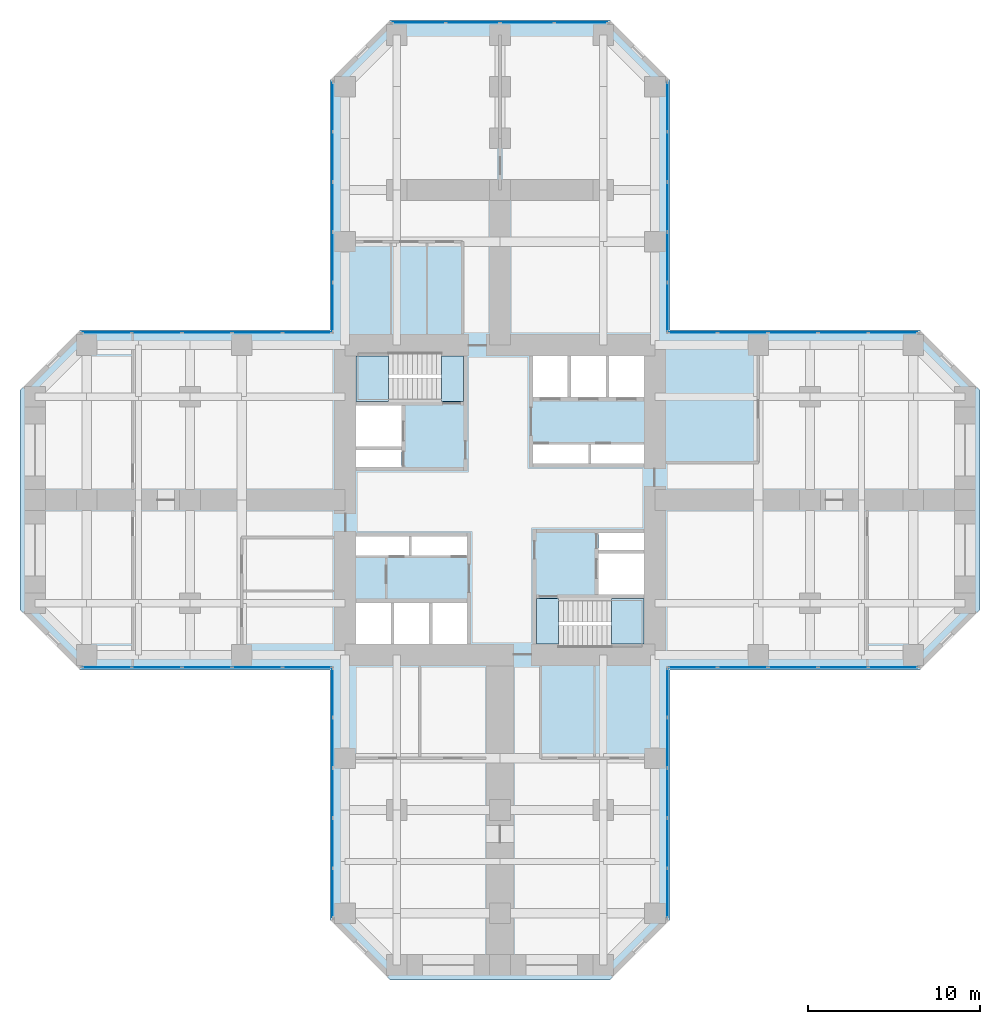
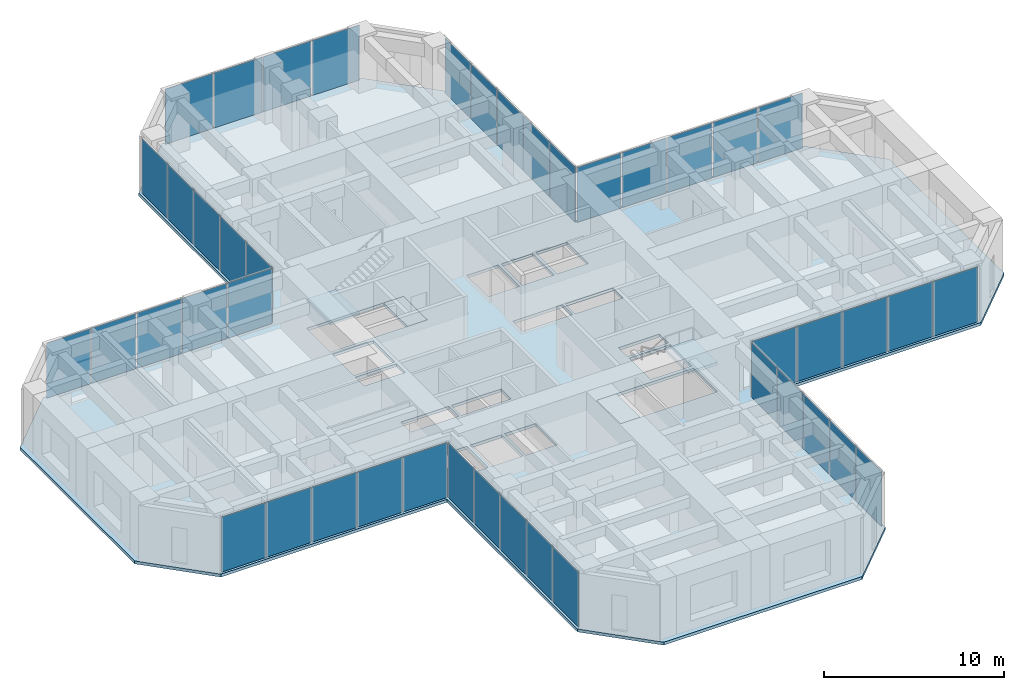
# One storey, part 7 of 12: 44 plates, 5 slabs, 11 elements without a shape of their own.
"""IFC4 building model written with IfcOpenShell, lengths in metres."""

from ifc_helpers import new_model, si_unit, direction, frame, origin, origin_2d, place, context, subcontext, project, spatial, polyline, rectangle, outline, extrude, material, layer, layer_set, type_object, element, aggregate, save


model = new_model("IFC4")

# Units and contexts
model_context = context("Model", 3, precision=1e-05, world=origin(), true_north=direction((0.0, 1.0)))
body_context = subcontext(model_context, "Body", "Model", "MODEL_VIEW")
ifc_project = project(units=[si_unit("LENGTHUNIT", "METRE"), si_unit("AREAUNIT", "SQUARE_METRE"), si_unit("VOLUMEUNIT", "CUBIC_METRE"), si_unit("PLANEANGLEUNIT", "RADIAN"), si_unit("MASSUNIT", "GRAM", prefix="KILO")], contexts=[model_context])

# Site, building, storey
site_placement = place(None, origin())
site = spatial("IfcSite", under=ifc_project, at=site_placement, CompositionType="ELEMENT")
building_placement = place(site_placement, origin())
building = spatial("IfcBuilding", under=site, at=building_placement, Name="Torre Cruceta", CompositionType="ELEMENT")
storey_placement = place(building_placement, frame((0.0, 0.0, 43.5)))
storey = spatial("IfcBuildingStorey", under=building, at=storey_placement, Name="L10", CompositionType="ELEMENT", Elevation=43.5)

# Curtain wall, plate
ifc_material_1 = material(Name="Aluminium unitised curtain wall", Category="aluminium")
curtain_wall_type = type_object("IfcCurtainWallType", Name="CURTAIN WALL CW-A OFFICE LOW RISE", PredefinedType="USERDEFINED", material=ifc_material_1)
curtain_wall_1_placement = place(storey_placement, origin())
curtain_wall_1 = element("IfcCurtainWall", 1, at=curtain_wall_1_placement, inside=storey, type_object=curtain_wall_type, Name="CW-A L10 E side 00", ObjectType="UNITISED", PredefinedType="USERDEFINED")
ifc_material_2 = material(Name="Laminated insulating glass unit, low-iron clear", Category="glass")
ifc_material_3 = material(Name="Laminated insulating glass unit, diagonal frit 50 %", Category="glass")
ifc_layer_1 = layer(ifc_material_3, 0.033935546875)
ifc_layer_set_1 = layer_set([ifc_layer_1], Name="Laminated insulating glass unit, diagonal frit 50 %")
plate_type_1 = type_object("IfcPlateType", Name="CW-A OPERABLE VENT PANEL 34", PredefinedType="CURTAIN_PANEL", material=ifc_layer_set_1)
plate_1_placement = place(storey_placement, frame((17.009033203125, -9.719970703125, 0.010009765625), z_axis=(0.0, 0.0, 1.0), x_axis=(1.0, 0.0, 0.0)))
plate_1 = element("IfcPlate", 2, at=plate_1_placement, type_object=plate_type_1, material=ifc_material_2, Name="CW-A vent 3", PredefinedType="CURTAIN_PANEL", context=body_context, shape_type="SweptSolid", body=[
    extrude(rectangle(XDim=2.8505859375, YDim=0.033935546875, at=origin_2d()), origin(), (0.0, 0.0, 1.0), 3.72509765625),
])

curtain_wall_2_placement = place(storey_placement, origin())
curtain_wall_2 = element("IfcCurtainWall", 3, at=curtain_wall_2_placement, inside=storey, type_object=curtain_wall_type, Name="CW-A L10 E side 04", ObjectType="UNITISED", PredefinedType="USERDEFINED")
plate_2_placement = place(storey_placement, frame((17.009033203125, 9.719970703125, 0.010009765625), z_axis=(0.0, 0.0, 1.0), x_axis=(-1.0, 0.0, 0.0)))
plate_2 = element("IfcPlate", 4, at=plate_2_placement, type_object=plate_type_1, material=ifc_material_2, Name="CW-A vent 3", PredefinedType="CURTAIN_PANEL", context=body_context, shape_type="SweptSolid", body=[
    extrude(rectangle(XDim=2.8505859375, YDim=0.033935546875, at=origin_2d()), origin(), (0.0, 0.0, 1.0), 3.72509765625),
])

curtain_wall_3_placement = place(storey_placement, origin())
curtain_wall_3 = element("IfcCurtainWall", 5, at=curtain_wall_3_placement, inside=storey, type_object=curtain_wall_type, Name="CW-A L10 N side 05", ObjectType="UNITISED", PredefinedType="USERDEFINED")
plate_3_placement = place(storey_placement, frame((9.719970703125, 17.009033203125, 0.010009765625), z_axis=(0.0, 0.0, 1.0), x_axis=(0.0, 1.0, 0.0)))
plate_3 = element("IfcPlate", 6, at=plate_3_placement, type_object=plate_type_1, material=ifc_material_2, Name="CW-A vent 3", PredefinedType="CURTAIN_PANEL", context=body_context, shape_type="SweptSolid", body=[
    extrude(rectangle(XDim=2.8505859375, YDim=0.033935546875, at=origin_2d()), origin(), (0.0, 0.0, 1.0), 3.72509765625),
])

curtain_wall_4_placement = place(storey_placement, origin())
curtain_wall_4 = element("IfcCurtainWall", 7, at=curtain_wall_4_placement, inside=storey, type_object=curtain_wall_type, Name="CW-A L10 N tip 07", ObjectType="UNITISED", PredefinedType="USERDEFINED")
plate_4_placement = place(storey_placement, frame((-1.574462890625, 27.719970703125, 0.010009765625), z_axis=(0.0, 0.0, 1.0), x_axis=(-1.0, 0.0, 0.0)))
plate_4 = element("IfcPlate", 8, at=plate_4_placement, type_object=plate_type_1, material=ifc_material_2, Name="CW-A vent 3", PredefinedType="CURTAIN_PANEL", context=body_context, shape_type="SweptSolid", body=[
    extrude(rectangle(XDim=3.084228515625, YDim=0.033935546875, at=origin_2d()), origin(), (0.0, 0.0, 1.0), 3.72509765625),
])

curtain_wall_5_placement = place(storey_placement, origin())
curtain_wall_5 = element("IfcCurtainWall", 9, at=curtain_wall_5_placement, inside=storey, type_object=curtain_wall_type, Name="CW-A L10 N side 09", ObjectType="UNITISED", PredefinedType="USERDEFINED")
plate_5_placement = place(storey_placement, frame((-9.719970703125, 17.009033203125, 0.010009765625), z_axis=(0.0, 0.0, 1.0), x_axis=(0.0, -1.0, 0.0)))
plate_5 = element("IfcPlate", 10, at=plate_5_placement, type_object=plate_type_1, material=ifc_material_2, Name="CW-A vent 3", PredefinedType="CURTAIN_PANEL", context=body_context, shape_type="SweptSolid", body=[
    extrude(rectangle(XDim=2.8505859375, YDim=0.033935546875, at=origin_2d()), origin(), (0.0, 0.0, 1.0), 3.72509765625),
])

curtain_wall_6_placement = place(storey_placement, origin())
curtain_wall_6 = element("IfcCurtainWall", 11, at=curtain_wall_6_placement, inside=storey, type_object=curtain_wall_type, Name="CW-A L10 W side 10", ObjectType="UNITISED", PredefinedType="USERDEFINED")
plate_6_placement = place(storey_placement, frame((-17.009033203125, 9.719970703125, 0.010009765625), z_axis=(0.0, 0.0, 1.0), x_axis=(-1.0, 0.0, 0.0)))
plate_6 = element("IfcPlate", 12, at=plate_6_placement, type_object=plate_type_1, material=ifc_material_2, Name="CW-A vent 3", PredefinedType="CURTAIN_PANEL", context=body_context, shape_type="SweptSolid", body=[
    extrude(rectangle(XDim=2.8505859375, YDim=0.033935546875, at=origin_2d()), origin(), (0.0, 0.0, 1.0), 3.72509765625),
])

curtain_wall_7_placement = place(storey_placement, origin())
curtain_wall_7 = element("IfcCurtainWall", 13, at=curtain_wall_7_placement, inside=storey, type_object=curtain_wall_type, Name="CW-A L10 W side 14", ObjectType="UNITISED", PredefinedType="USERDEFINED")
plate_7_placement = place(storey_placement, frame((-17.009033203125, -9.719970703125, 0.010009765625), z_axis=(0.0, 0.0, 1.0), x_axis=(1.0, 0.0, 0.0)))
plate_7 = element("IfcPlate", 14, at=plate_7_placement, type_object=plate_type_1, material=ifc_material_2, Name="CW-A vent 3", PredefinedType="CURTAIN_PANEL", context=body_context, shape_type="SweptSolid", body=[
    extrude(rectangle(XDim=2.8505859375, YDim=0.033935546875, at=origin_2d()), origin(), (0.0, 0.0, 1.0), 3.72509765625),
])

curtain_wall_8_placement = place(storey_placement, origin())
curtain_wall_8 = element("IfcCurtainWall", 15, at=curtain_wall_8_placement, inside=storey, type_object=curtain_wall_type, Name="CW-A L10 S side 15", ObjectType="UNITISED", PredefinedType="USERDEFINED")
plate_8_placement = place(storey_placement, frame((-9.719970703125, -17.009033203125, 0.010009765625), z_axis=(0.0, 0.0, 1.0), x_axis=(0.0, -1.0, 0.0)))
plate_8 = element("IfcPlate", 16, at=plate_8_placement, type_object=plate_type_1, material=ifc_material_2, Name="CW-A vent 3", PredefinedType="CURTAIN_PANEL", context=body_context, shape_type="SweptSolid", body=[
    extrude(rectangle(XDim=2.8505859375, YDim=0.033935546875, at=origin_2d()), origin(), (0.0, 0.0, 1.0), 3.72509765625),
])

curtain_wall_9_placement = place(storey_placement, origin())
curtain_wall_9 = element("IfcCurtainWall", 17, at=curtain_wall_9_placement, inside=storey, type_object=curtain_wall_type, Name="CW-A L10 S side 19", ObjectType="UNITISED", PredefinedType="USERDEFINED")
plate_9_placement = place(storey_placement, frame((9.719970703125, -17.009033203125, 0.010009765625), z_axis=(0.0, 0.0, 1.0), x_axis=(0.0, 1.0, 0.0)))
plate_9 = element("IfcPlate", 18, at=plate_9_placement, type_object=plate_type_1, material=ifc_material_2, Name="CW-A vent 3", PredefinedType="CURTAIN_PANEL", context=body_context, shape_type="SweptSolid", body=[
    extrude(rectangle(XDim=2.8505859375, YDim=0.033935546875, at=origin_2d()), origin(), (0.0, 0.0, 1.0), 3.72509765625),
])

# Plate
ifc_material_4 = material(Name="Laminated insulating glass unit, diagonal frit 50 %", Category="glass")
ifc_material_5 = material(Name="Laminated insulating glass unit, diagonal frit 50 %", Category="glass")
ifc_layer_2 = layer(ifc_material_5, 0.033935546875)
ifc_layer_set_2 = layer_set([ifc_layer_2], Name="Laminated insulating glass unit, diagonal frit 50 %")
plate_type_2 = type_object("IfcPlateType", Name="CW-A PANEL 34", PredefinedType="CURTAIN_PANEL", material=ifc_layer_set_2)
plate_10_placement = place(storey_placement, frame((11.194091796875, -9.719970703125, 0.010009765625), z_axis=(0.0, 0.0, 1.0), x_axis=(1.0, 0.0, 0.0)))
plate_10 = element("IfcPlate", 19, at=plate_10_placement, type_object=plate_type_2, material=ifc_material_4, Name="CW-A panel 1", PredefinedType="CURTAIN_PANEL", context=body_context, shape_type="SweptSolid", body=[
    extrude(rectangle(XDim=2.818115234375, YDim=0.033935546875, at=origin_2d()), origin(), (0.0, 0.0, 1.0), 3.72509765625),
])

plate_11_placement = place(storey_placement, frame((14.093505859375, -9.719970703125, 0.010009765625), z_axis=(0.0, 0.0, 1.0), x_axis=(1.0, 0.0, 0.0)))
plate_11 = element("IfcPlate", 20, at=plate_11_placement, type_object=plate_type_2, material=ifc_material_4, Name="CW-A panel 2", PredefinedType="CURTAIN_PANEL", context=body_context, shape_type="SweptSolid", body=[
    extrude(rectangle(XDim=2.8505859375, YDim=0.033935546875, at=origin_2d()), origin(), (0.0, 0.0, 1.0), 3.72509765625),
])

plate_12_placement = place(storey_placement, frame((19.9248046875, -9.719970703125, 0.010009765625), z_axis=(0.0, 0.0, 1.0), x_axis=(1.0, 0.0, 0.0)))
plate_12 = element("IfcPlate", 21, at=plate_12_placement, type_object=plate_type_2, material=ifc_material_2, Name="CW-A panel 4", PredefinedType="CURTAIN_PANEL", context=body_context, shape_type="SweptSolid", body=[
    extrude(rectangle(XDim=2.8505859375, YDim=0.033935546875, at=origin_2d()), origin(), (0.0, 0.0, 1.0), 3.72509765625),
])

plate_13_placement = place(storey_placement, frame((22.82421875, -9.719970703125, 0.010009765625), z_axis=(0.0, 0.0, 1.0), x_axis=(1.0, 0.0, 0.0)))
plate_13 = element("IfcPlate", 22, at=plate_13_placement, type_object=plate_type_2, material=ifc_material_4, Name="CW-A panel 5", PredefinedType="CURTAIN_PANEL", context=body_context, shape_type="SweptSolid", body=[
    extrude(rectangle(XDim=2.818115234375, YDim=0.033935546875, at=origin_2d()), origin(), (0.0, 0.0, 1.0), 3.72509765625),
])

aggregate(curtain_wall_1, [plate_10, plate_11, plate_1, plate_12, plate_13])

plate_14_placement = place(storey_placement, frame((22.82421875, 9.719970703125, 0.010009765625), z_axis=(0.0, 0.0, 1.0), x_axis=(-1.0, 0.0, 0.0)))
plate_14 = element("IfcPlate", 23, at=plate_14_placement, type_object=plate_type_2, material=ifc_material_4, Name="CW-A panel 1", PredefinedType="CURTAIN_PANEL", context=body_context, shape_type="SweptSolid", body=[
    extrude(rectangle(XDim=2.818115234375, YDim=0.033935546875, at=origin_2d()), origin(), (0.0, 0.0, 1.0), 3.72509765625),
])

plate_15_placement = place(storey_placement, frame((19.9248046875, 9.719970703125, 0.010009765625), z_axis=(0.0, 0.0, 1.0), x_axis=(-1.0, 0.0, 0.0)))
plate_15 = element("IfcPlate", 24, at=plate_15_placement, type_object=plate_type_2, material=ifc_material_4, Name="CW-A panel 2", PredefinedType="CURTAIN_PANEL", context=body_context, shape_type="SweptSolid", body=[
    extrude(rectangle(XDim=2.8505859375, YDim=0.033935546875, at=origin_2d()), origin(), (0.0, 0.0, 1.0), 3.72509765625),
])

plate_16_placement = place(storey_placement, frame((14.093505859375, 9.719970703125, 0.010009765625), z_axis=(0.0, 0.0, 1.0), x_axis=(-1.0, 0.0, 0.0)))
plate_16 = element("IfcPlate", 25, at=plate_16_placement, type_object=plate_type_2, material=ifc_material_2, Name="CW-A panel 4", PredefinedType="CURTAIN_PANEL", context=body_context, shape_type="SweptSolid", body=[
    extrude(rectangle(XDim=2.8505859375, YDim=0.033935546875, at=origin_2d()), origin(), (0.0, 0.0, 1.0), 3.72509765625),
])

plate_17_placement = place(storey_placement, frame((11.194091796875, 9.719970703125, 0.010009765625), z_axis=(0.0, 0.0, 1.0), x_axis=(-1.0, 0.0, 0.0)))
plate_17 = element("IfcPlate", 26, at=plate_17_placement, type_object=plate_type_2, material=ifc_material_4, Name="CW-A panel 5", PredefinedType="CURTAIN_PANEL", context=body_context, shape_type="SweptSolid", body=[
    extrude(rectangle(XDim=2.818115234375, YDim=0.033935546875, at=origin_2d()), origin(), (0.0, 0.0, 1.0), 3.72509765625),
])

aggregate(curtain_wall_2, [plate_14, plate_15, plate_2, plate_16, plate_17])

plate_18_placement = place(storey_placement, frame((9.719970703125, 11.194091796875, 0.010009765625), z_axis=(0.0, 0.0, 1.0), x_axis=(0.0, 1.0, 0.0)))
plate_18 = element("IfcPlate", 27, at=plate_18_placement, type_object=plate_type_2, material=ifc_material_4, Name="CW-A panel 1", PredefinedType="CURTAIN_PANEL", context=body_context, shape_type="SweptSolid", body=[
    extrude(rectangle(XDim=2.818115234375, YDim=0.033935546875, at=origin_2d()), origin(), (0.0, 0.0, 1.0), 3.72509765625),
])

plate_19_placement = place(storey_placement, frame((9.719970703125, 14.093505859375, 0.010009765625), z_axis=(0.0, 0.0, 1.0), x_axis=(0.0, 1.0, 0.0)))
plate_19 = element("IfcPlate", 28, at=plate_19_placement, type_object=plate_type_2, material=ifc_material_4, Name="CW-A panel 2", PredefinedType="CURTAIN_PANEL", context=body_context, shape_type="SweptSolid", body=[
    extrude(rectangle(XDim=2.8505859375, YDim=0.033935546875, at=origin_2d()), origin(), (0.0, 0.0, 1.0), 3.72509765625),
])

plate_20_placement = place(storey_placement, frame((9.719970703125, 19.9248046875, 0.010009765625), z_axis=(0.0, 0.0, 1.0), x_axis=(0.0, 1.0, 0.0)))
plate_20 = element("IfcPlate", 29, at=plate_20_placement, type_object=plate_type_2, material=ifc_material_2, Name="CW-A panel 4", PredefinedType="CURTAIN_PANEL", context=body_context, shape_type="SweptSolid", body=[
    extrude(rectangle(XDim=2.8505859375, YDim=0.033935546875, at=origin_2d()), origin(), (0.0, 0.0, 1.0), 3.72509765625),
])

plate_21_placement = place(storey_placement, frame((9.719970703125, 22.82421875, 0.010009765625), z_axis=(0.0, 0.0, 1.0), x_axis=(0.0, 1.0, 0.0)))
plate_21 = element("IfcPlate", 30, at=plate_21_placement, type_object=plate_type_2, material=ifc_material_4, Name="CW-A panel 5", PredefinedType="CURTAIN_PANEL", context=body_context, shape_type="SweptSolid", body=[
    extrude(rectangle(XDim=2.818115234375, YDim=0.033935546875, at=origin_2d()), origin(), (0.0, 0.0, 1.0), 3.72509765625),
])

aggregate(curtain_wall_3, [plate_18, plate_19, plate_3, plate_20, plate_21])

plate_22_placement = place(storey_placement, frame((4.70751953125, 27.719970703125, 0.010009765625), z_axis=(0.0, 0.0, 1.0), x_axis=(-1.0, 0.0, 0.0)))
plate_22 = element("IfcPlate", 31, at=plate_22_placement, type_object=plate_type_2, material=ifc_material_4, Name="CW-A panel 1", PredefinedType="CURTAIN_PANEL", context=body_context, shape_type="SweptSolid", body=[
    extrude(rectangle(XDim=3.051513671875, YDim=0.033935546875, at=origin_2d()), origin(), (0.0, 0.0, 1.0), 3.72509765625),
])

plate_23_placement = place(storey_placement, frame((1.574462890625, 27.719970703125, 0.010009765625), z_axis=(0.0, 0.0, 1.0), x_axis=(-1.0, 0.0, 0.0)))
plate_23 = element("IfcPlate", 32, at=plate_23_placement, type_object=plate_type_2, material=ifc_material_4, Name="CW-A panel 2", PredefinedType="CURTAIN_PANEL", context=body_context, shape_type="SweptSolid", body=[
    extrude(rectangle(XDim=3.084228515625, YDim=0.033935546875, at=origin_2d()), origin(), (0.0, 0.0, 1.0), 3.72509765625),
])

plate_24_placement = place(storey_placement, frame((-4.70751953125, 27.719970703125, 0.010009765625), z_axis=(0.0, 0.0, 1.0), x_axis=(-1.0, 0.0, 0.0)))
plate_24 = element("IfcPlate", 33, at=plate_24_placement, type_object=plate_type_2, material=ifc_material_2, Name="CW-A panel 4", PredefinedType="CURTAIN_PANEL", context=body_context, shape_type="SweptSolid", body=[
    extrude(rectangle(XDim=3.051513671875, YDim=0.033935546875, at=origin_2d()), origin(), (0.0, 0.0, 1.0), 3.72509765625),
])

aggregate(curtain_wall_4, [plate_22, plate_23, plate_4, plate_24])

plate_25_placement = place(storey_placement, frame((-9.719970703125, 22.82421875, 0.010009765625), z_axis=(0.0, 0.0, 1.0), x_axis=(0.0, -1.0, 0.0)))
plate_25 = element("IfcPlate", 34, at=plate_25_placement, type_object=plate_type_2, material=ifc_material_4, Name="CW-A panel 1", PredefinedType="CURTAIN_PANEL", context=body_context, shape_type="SweptSolid", body=[
    extrude(rectangle(XDim=2.818115234375, YDim=0.033935546875, at=origin_2d()), origin(), (0.0, 0.0, 1.0), 3.72509765625),
])

plate_26_placement = place(storey_placement, frame((-9.719970703125, 19.9248046875, 0.010009765625), z_axis=(0.0, 0.0, 1.0), x_axis=(0.0, -1.0, 0.0)))
plate_26 = element("IfcPlate", 35, at=plate_26_placement, type_object=plate_type_2, material=ifc_material_4, Name="CW-A panel 2", PredefinedType="CURTAIN_PANEL", context=body_context, shape_type="SweptSolid", body=[
    extrude(rectangle(XDim=2.8505859375, YDim=0.033935546875, at=origin_2d()), origin(), (0.0, 0.0, 1.0), 3.72509765625),
])

plate_27_placement = place(storey_placement, frame((-9.719970703125, 14.093505859375, 0.010009765625), z_axis=(0.0, 0.0, 1.0), x_axis=(0.0, -1.0, 0.0)))
plate_27 = element("IfcPlate", 36, at=plate_27_placement, type_object=plate_type_2, material=ifc_material_2, Name="CW-A panel 4", PredefinedType="CURTAIN_PANEL", context=body_context, shape_type="SweptSolid", body=[
    extrude(rectangle(XDim=2.8505859375, YDim=0.033935546875, at=origin_2d()), origin(), (0.0, 0.0, 1.0), 3.72509765625),
])

plate_28_placement = place(storey_placement, frame((-9.719970703125, 11.194091796875, 0.010009765625), z_axis=(0.0, 0.0, 1.0), x_axis=(0.0, -1.0, 0.0)))
plate_28 = element("IfcPlate", 37, at=plate_28_placement, type_object=plate_type_2, material=ifc_material_4, Name="CW-A panel 5", PredefinedType="CURTAIN_PANEL", context=body_context, shape_type="SweptSolid", body=[
    extrude(rectangle(XDim=2.818115234375, YDim=0.033935546875, at=origin_2d()), origin(), (0.0, 0.0, 1.0), 3.72509765625),
])

aggregate(curtain_wall_5, [plate_25, plate_26, plate_5, plate_27, plate_28])

plate_29_placement = place(storey_placement, frame((-11.194091796875, 9.719970703125, 0.010009765625), z_axis=(0.0, 0.0, 1.0), x_axis=(-1.0, 0.0, 0.0)))
plate_29 = element("IfcPlate", 38, at=plate_29_placement, type_object=plate_type_2, material=ifc_material_4, Name="CW-A panel 1", PredefinedType="CURTAIN_PANEL", context=body_context, shape_type="SweptSolid", body=[
    extrude(rectangle(XDim=2.818115234375, YDim=0.033935546875, at=origin_2d()), origin(), (0.0, 0.0, 1.0), 3.72509765625),
])

plate_30_placement = place(storey_placement, frame((-14.093505859375, 9.719970703125, 0.010009765625), z_axis=(0.0, 0.0, 1.0), x_axis=(-1.0, 0.0, 0.0)))
plate_30 = element("IfcPlate", 39, at=plate_30_placement, type_object=plate_type_2, material=ifc_material_4, Name="CW-A panel 2", PredefinedType="CURTAIN_PANEL", context=body_context, shape_type="SweptSolid", body=[
    extrude(rectangle(XDim=2.8505859375, YDim=0.033935546875, at=origin_2d()), origin(), (0.0, 0.0, 1.0), 3.72509765625),
])

plate_31_placement = place(storey_placement, frame((-19.9248046875, 9.719970703125, 0.010009765625), z_axis=(0.0, 0.0, 1.0), x_axis=(-1.0, 0.0, 0.0)))
plate_31 = element("IfcPlate", 40, at=plate_31_placement, type_object=plate_type_2, material=ifc_material_2, Name="CW-A panel 4", PredefinedType="CURTAIN_PANEL", context=body_context, shape_type="SweptSolid", body=[
    extrude(rectangle(XDim=2.8505859375, YDim=0.033935546875, at=origin_2d()), origin(), (0.0, 0.0, 1.0), 3.72509765625),
])

plate_32_placement = place(storey_placement, frame((-22.82421875, 9.719970703125, 0.010009765625), z_axis=(0.0, 0.0, 1.0), x_axis=(-1.0, 0.0, 0.0)))
plate_32 = element("IfcPlate", 41, at=plate_32_placement, type_object=plate_type_2, material=ifc_material_4, Name="CW-A panel 5", PredefinedType="CURTAIN_PANEL", context=body_context, shape_type="SweptSolid", body=[
    extrude(rectangle(XDim=2.818115234375, YDim=0.033935546875, at=origin_2d()), origin(), (0.0, 0.0, 1.0), 3.72509765625),
])

aggregate(curtain_wall_6, [plate_29, plate_30, plate_6, plate_31, plate_32])

plate_33_placement = place(storey_placement, frame((-22.82421875, -9.719970703125, 0.010009765625), z_axis=(0.0, 0.0, 1.0), x_axis=(1.0, 0.0, 0.0)))
plate_33 = element("IfcPlate", 42, at=plate_33_placement, type_object=plate_type_2, material=ifc_material_4, Name="CW-A panel 1", PredefinedType="CURTAIN_PANEL", context=body_context, shape_type="SweptSolid", body=[
    extrude(rectangle(XDim=2.818115234375, YDim=0.033935546875, at=origin_2d()), origin(), (0.0, 0.0, 1.0), 3.72509765625),
])

plate_34_placement = place(storey_placement, frame((-19.9248046875, -9.719970703125, 0.010009765625), z_axis=(0.0, 0.0, 1.0), x_axis=(1.0, 0.0, 0.0)))
plate_34 = element("IfcPlate", 43, at=plate_34_placement, type_object=plate_type_2, material=ifc_material_4, Name="CW-A panel 2", PredefinedType="CURTAIN_PANEL", context=body_context, shape_type="SweptSolid", body=[
    extrude(rectangle(XDim=2.8505859375, YDim=0.033935546875, at=origin_2d()), origin(), (0.0, 0.0, 1.0), 3.72509765625),
])

plate_35_placement = place(storey_placement, frame((-14.093505859375, -9.719970703125, 0.010009765625), z_axis=(0.0, 0.0, 1.0), x_axis=(1.0, 0.0, 0.0)))
plate_35 = element("IfcPlate", 44, at=plate_35_placement, type_object=plate_type_2, material=ifc_material_2, Name="CW-A panel 4", PredefinedType="CURTAIN_PANEL", context=body_context, shape_type="SweptSolid", body=[
    extrude(rectangle(XDim=2.8505859375, YDim=0.033935546875, at=origin_2d()), origin(), (0.0, 0.0, 1.0), 3.72509765625),
])

plate_36_placement = place(storey_placement, frame((-11.194091796875, -9.719970703125, 0.010009765625), z_axis=(0.0, 0.0, 1.0), x_axis=(1.0, 0.0, 0.0)))
plate_36 = element("IfcPlate", 45, at=plate_36_placement, type_object=plate_type_2, material=ifc_material_4, Name="CW-A panel 5", PredefinedType="CURTAIN_PANEL", context=body_context, shape_type="SweptSolid", body=[
    extrude(rectangle(XDim=2.818115234375, YDim=0.033935546875, at=origin_2d()), origin(), (0.0, 0.0, 1.0), 3.72509765625),
])

aggregate(curtain_wall_7, [plate_33, plate_34, plate_7, plate_35, plate_36])

plate_37_placement = place(storey_placement, frame((-9.719970703125, -11.194091796875, 0.010009765625), z_axis=(0.0, 0.0, 1.0), x_axis=(0.0, -1.0, 0.0)))
plate_37 = element("IfcPlate", 46, at=plate_37_placement, type_object=plate_type_2, material=ifc_material_4, Name="CW-A panel 1", PredefinedType="CURTAIN_PANEL", context=body_context, shape_type="SweptSolid", body=[
    extrude(rectangle(XDim=2.818115234375, YDim=0.033935546875, at=origin_2d()), origin(), (0.0, 0.0, 1.0), 3.72509765625),
])

plate_38_placement = place(storey_placement, frame((-9.719970703125, -14.093505859375, 0.010009765625), z_axis=(0.0, 0.0, 1.0), x_axis=(0.0, -1.0, 0.0)))
plate_38 = element("IfcPlate", 47, at=plate_38_placement, type_object=plate_type_2, material=ifc_material_4, Name="CW-A panel 2", PredefinedType="CURTAIN_PANEL", context=body_context, shape_type="SweptSolid", body=[
    extrude(rectangle(XDim=2.8505859375, YDim=0.033935546875, at=origin_2d()), origin(), (0.0, 0.0, 1.0), 3.72509765625),
])

plate_39_placement = place(storey_placement, frame((-9.719970703125, -19.9248046875, 0.010009765625), z_axis=(0.0, 0.0, 1.0), x_axis=(0.0, -1.0, 0.0)))
plate_39 = element("IfcPlate", 48, at=plate_39_placement, type_object=plate_type_2, material=ifc_material_2, Name="CW-A panel 4", PredefinedType="CURTAIN_PANEL", context=body_context, shape_type="SweptSolid", body=[
    extrude(rectangle(XDim=2.8505859375, YDim=0.033935546875, at=origin_2d()), origin(), (0.0, 0.0, 1.0), 3.72509765625),
])

plate_40_placement = place(storey_placement, frame((-9.719970703125, -22.82421875, 0.010009765625), z_axis=(0.0, 0.0, 1.0), x_axis=(0.0, -1.0, 0.0)))
plate_40 = element("IfcPlate", 49, at=plate_40_placement, type_object=plate_type_2, material=ifc_material_4, Name="CW-A panel 5", PredefinedType="CURTAIN_PANEL", context=body_context, shape_type="SweptSolid", body=[
    extrude(rectangle(XDim=2.818115234375, YDim=0.033935546875, at=origin_2d()), origin(), (0.0, 0.0, 1.0), 3.72509765625),
])

aggregate(curtain_wall_8, [plate_37, plate_38, plate_8, plate_39, plate_40])

plate_41_placement = place(storey_placement, frame((9.719970703125, -22.82421875, 0.010009765625), z_axis=(0.0, 0.0, 1.0), x_axis=(0.0, 1.0, 0.0)))
plate_41 = element("IfcPlate", 50, at=plate_41_placement, type_object=plate_type_2, material=ifc_material_4, Name="CW-A panel 1", PredefinedType="CURTAIN_PANEL", context=body_context, shape_type="SweptSolid", body=[
    extrude(rectangle(XDim=2.818115234375, YDim=0.033935546875, at=origin_2d()), origin(), (0.0, 0.0, 1.0), 3.72509765625),
])

plate_42_placement = place(storey_placement, frame((9.719970703125, -19.9248046875, 0.010009765625), z_axis=(0.0, 0.0, 1.0), x_axis=(0.0, 1.0, 0.0)))
plate_42 = element("IfcPlate", 51, at=plate_42_placement, type_object=plate_type_2, material=ifc_material_4, Name="CW-A panel 2", PredefinedType="CURTAIN_PANEL", context=body_context, shape_type="SweptSolid", body=[
    extrude(rectangle(XDim=2.8505859375, YDim=0.033935546875, at=origin_2d()), origin(), (0.0, 0.0, 1.0), 3.72509765625),
])

plate_43_placement = place(storey_placement, frame((9.719970703125, -14.093505859375, 0.010009765625), z_axis=(0.0, 0.0, 1.0), x_axis=(0.0, 1.0, 0.0)))
plate_43 = element("IfcPlate", 52, at=plate_43_placement, type_object=plate_type_2, material=ifc_material_2, Name="CW-A panel 4", PredefinedType="CURTAIN_PANEL", context=body_context, shape_type="SweptSolid", body=[
    extrude(rectangle(XDim=2.8505859375, YDim=0.033935546875, at=origin_2d()), origin(), (0.0, 0.0, 1.0), 3.72509765625),
])

plate_44_placement = place(storey_placement, frame((9.719970703125, -11.194091796875, 0.010009765625), z_axis=(0.0, 0.0, 1.0), x_axis=(0.0, 1.0, 0.0)))
plate_44 = element("IfcPlate", 53, at=plate_44_placement, type_object=plate_type_2, material=ifc_material_4, Name="CW-A panel 5", PredefinedType="CURTAIN_PANEL", context=body_context, shape_type="SweptSolid", body=[
    extrude(rectangle(XDim=2.818115234375, YDim=0.033935546875, at=origin_2d()), origin(), (0.0, 0.0, 1.0), 3.72509765625),
])

aggregate(curtain_wall_9, [plate_41, plate_42, plate_9, plate_43, plate_44])

# Slab
ifc_material_6 = material(Name="Concrete G35 (fck 35 MPa)", Category="concrete")
ifc_layer_3 = layer(ifc_material_6, 0.199951171875)
ifc_layer_set_3 = layer_set([ifc_layer_3], Name="Concrete G35 (fck 35 MPa)")
slab_type_1 = type_object("IfcSlabType", Name="FLOOR SLAB 200", PredefinedType="FLOOR", material=ifc_layer_set_3)
slab_1_placement = place(storey_placement, frame((0.0, 0.0, -0.199951171875)))
element("IfcSlab", 54, at=slab_1_placement, inside=storey, type_object=slab_type_1, Name="Floor Slab L10", PredefinedType="FLOOR", context=body_context, shape_type="SweptSolid", body=[
    extrude(outline(polyline([(9.8701171875, -9.8701171875), (9.8701171875, -24.3603515625), (6.3603515625, -27.8701171875), (-6.3603515625, -27.8701171875), (-9.8701171875, -24.3603515625), (-9.8701171875, -9.8701171875), (-24.3603515625, -9.8701171875), (-27.8701171875, -6.3603515625), (-27.8701171875, 6.3603515625), (-24.3603515625, 9.8701171875), (-9.8701171875, 9.8701171875), (-9.8701171875, 24.3603515625), (-6.3603515625, 27.8701171875), (6.3603515625, 27.8701171875), (9.8701171875, 24.3603515625), (9.8701171875, 9.8701171875), (24.3603515625, 9.8701171875), (27.8701171875, 6.3603515625), (27.8701171875, -6.3603515625), (24.3603515625, -9.8701171875), (9.8701171875, -9.8701171875)]), holes=[polyline([(1.925048828125, 5.97509765625), (3.933349609375, 5.97509765625), (3.933349609375, 8.35009765625), (1.925048828125, 8.35009765625), (1.925048828125, 5.97509765625)]), polyline([(4.13330078125, 5.97509765625), (6.1416015625, 5.97509765625), (6.1416015625, 8.35009765625), (4.13330078125, 8.35009765625), (4.13330078125, 5.97509765625)]), polyline([(6.341552734375, 5.97509765625), (8.35009765625, 5.97509765625), (8.35009765625, 8.35009765625), (6.341552734375, 8.35009765625), (6.341552734375, 5.97509765625)]), polyline([(1.925048828125, 2.125), (5.125, 2.125), (5.125, 3.22509765625), (1.925048828125, 3.22509765625), (1.925048828125, 2.125)]), polyline([(5.27490234375, 2.125), (8.35009765625, 2.125), (8.35009765625, 3.22509765625), (5.27490234375, 3.22509765625), (5.27490234375, 2.125)]), polyline([(-8.35009765625, 3.10009765625), (-5.72509765625, 3.10009765625), (-5.72509765625, 5.47509765625), (-8.35009765625, 5.47509765625), (-8.35009765625, 3.10009765625)]), polyline([(-8.35009765625, 1.925048828125), (-5.72509765625, 1.925048828125), (-5.72509765625, 2.89990234375), (-8.35009765625, 2.89990234375), (-8.35009765625, 1.925048828125)]), polyline([(-3.933349609375, -8.35009765625), (-1.925048828125, -8.35009765625), (-1.925048828125, -5.97509765625), (-3.933349609375, -5.97509765625), (-3.933349609375, -8.35009765625)]), polyline([(-6.1416015625, -8.35009765625), (-4.13330078125, -8.35009765625), (-4.13330078125, -5.97509765625), (-6.1416015625, -5.97509765625), (-6.1416015625, -8.35009765625)]), polyline([(-8.35009765625, -8.35009765625), (-6.341552734375, -8.35009765625), (-6.341552734375, -5.97509765625), (-8.35009765625, -5.97509765625), (-8.35009765625, -8.35009765625)]), polyline([(-5.125, -3.22509765625), (-1.925048828125, -3.22509765625), (-1.925048828125, -2.125), (-5.125, -2.125), (-5.125, -3.22509765625)]), polyline([(-8.35009765625, -3.22509765625), (-5.27490234375, -3.22509765625), (-5.27490234375, -2.125), (-8.35009765625, -2.125), (-8.35009765625, -3.22509765625)]), polyline([(5.72509765625, -5.47509765625), (8.35009765625, -5.47509765625), (8.35009765625, -3.10009765625), (5.72509765625, -3.10009765625), (5.72509765625, -5.47509765625)]), polyline([(5.72509765625, -2.89990234375), (8.35009765625, -2.89990234375), (8.35009765625, -1.925048828125), (5.72509765625, -1.925048828125), (5.72509765625, -2.89990234375)]), polyline([(-8.35009765625, 5.72509765625), (-8.35009765625, 8.35009765625), (-3.39990234375, 8.35009765625), (-2.125, 8.35009765625), (-2.125, 5.72509765625), (-3.39990234375, 5.72509765625), (-8.35009765625, 5.72509765625)]), polyline([(2.125, -5.72509765625), (3.39990234375, -5.72509765625), (8.35009765625, -5.72509765625), (8.35009765625, -8.35009765625), (3.39990234375, -8.35009765625), (2.125, -8.35009765625), (2.125, -5.72509765625)])]), origin(), (0.0, 0.0, 1.0), 0.199951171875),
])

# Stair, slab
ifc_material_7 = material(Name="Concrete G30 (fck 30 MPa)", Category="concrete")
stair_type = type_object("IfcStairType", Name="STAIR HALF-TURN 1300", PredefinedType="HALF_TURN_STAIR", material=ifc_material_7)
stair_1_placement = place(storey_placement, origin())
stair_1 = element("IfcStair", 55, at=stair_1_placement, inside=storey, type_object=stair_type, Name="Stair ST1 L10", PredefinedType="HALF_TURN_STAIR")
ifc_material_8 = material(Name="Concrete G30 (fck 30 MPa)", Category="concrete")
ifc_layer_4 = layer(ifc_material_8, 0.199951171875)
ifc_layer_set_4 = layer_set([ifc_layer_4], Name="Concrete G30 (fck 30 MPa)")
slab_type_2 = type_object("IfcSlabType", Name="STAIR LANDING 200", PredefinedType="LANDING", material=ifc_layer_set_4)
slab_2_placement = place(storey_placement, frame((0.0, 0.0, 1.800048828125)))
slab_2 = element("IfcSlab", 56, at=slab_2_placement, type_object=slab_type_2, Name="ST1 landing 1", PredefinedType="LANDING", context=body_context, shape_type="SweptSolid", body=[
    extrude(outline(polyline([(-8.35009765625, 5.72509765625), (-6.47998046875, 5.72509765625), (-6.47998046875, 8.35009765625), (-8.35009765625, 8.35009765625), (-8.35009765625, 5.72509765625)])), origin(), (0.0, 0.0, 1.0), 0.199951171875),
])
aggregate(stair_1, [slab_2])

stair_2_placement = place(storey_placement, origin())
stair_2 = element("IfcStair", 57, at=stair_2_placement, inside=storey, type_object=stair_type, Name="Stair ST2 L10", PredefinedType="HALF_TURN_STAIR")
slab_3_placement = place(storey_placement, frame((0.0, 0.0, 1.800048828125)))
slab_3 = element("IfcSlab", 58, at=slab_3_placement, type_object=slab_type_2, Name="ST2 landing 1", PredefinedType="LANDING", context=body_context, shape_type="SweptSolid", body=[
    extrude(outline(polyline([(6.47998046875, -8.35009765625), (8.35009765625, -8.35009765625), (8.35009765625, -5.72509765625), (6.47998046875, -5.72509765625), (6.47998046875, -8.35009765625)])), origin(), (0.0, 0.0, 1.0), 0.199951171875),
])
aggregate(stair_2, [slab_3])

# Slabs
slab_4_placement = place(storey_placement, frame((0.0, 0.0, -0.199951171875)))
element("IfcSlab", 59, at=slab_4_placement, inside=storey, type_object=slab_type_2, Name="Stair ST1 floor landing L10", PredefinedType="LANDING", context=body_context, shape_type="SweptSolid", body=[
    extrude(outline(polyline([(-2.125, 8.35009765625), (-2.125, 5.72509765625), (-3.39990234375, 5.72509765625), (-3.39990234375, 8.35009765625), (-2.125, 8.35009765625)])), origin(), (0.0, 0.0, 1.0), 0.199951171875),
])
slab_5_placement = place(storey_placement, frame((0.0, 0.0, -0.199951171875)))
element("IfcSlab", 60, at=slab_5_placement, inside=storey, type_object=slab_type_2, Name="Stair ST2 floor landing L10", PredefinedType="LANDING", context=body_context, shape_type="SweptSolid", body=[
    extrude(outline(polyline([(2.125, -8.35009765625), (2.125, -5.72509765625), (3.39990234375, -5.72509765625), (3.39990234375, -8.35009765625), (2.125, -8.35009765625)])), origin(), (0.0, 0.0, 1.0), 0.199951171875),
])

save(model, "model.ifc")
